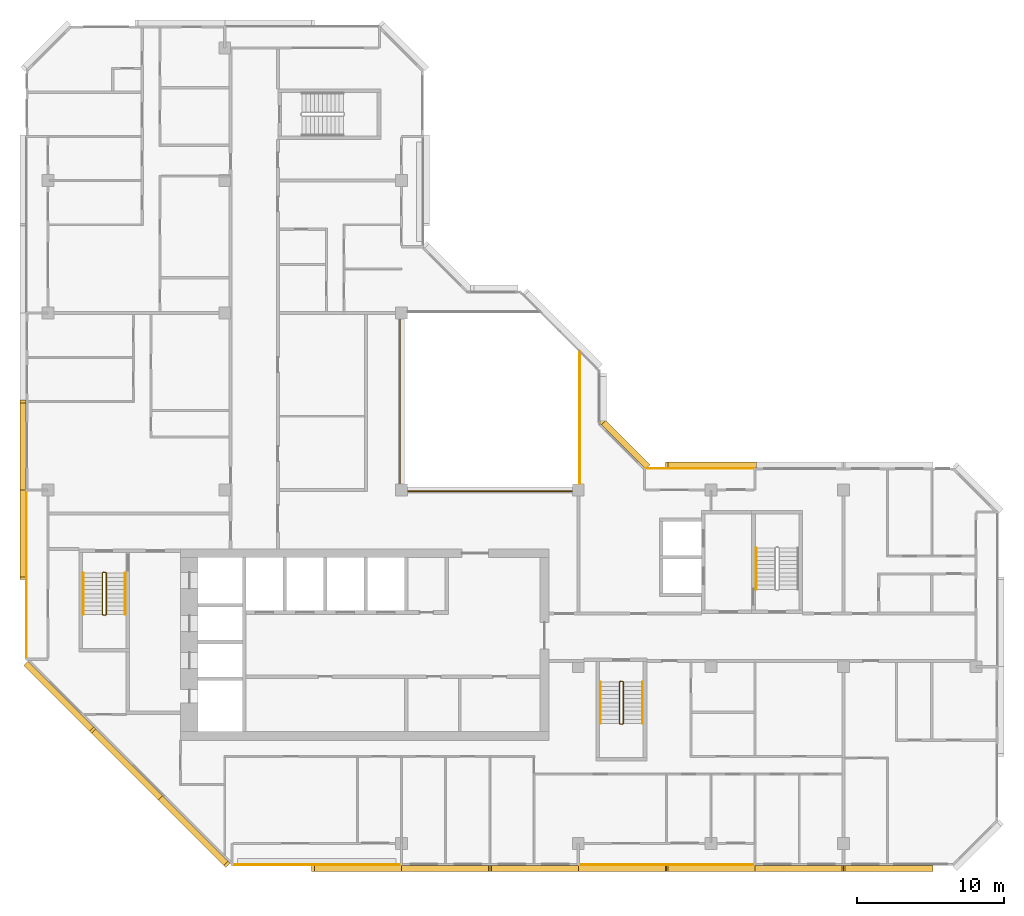
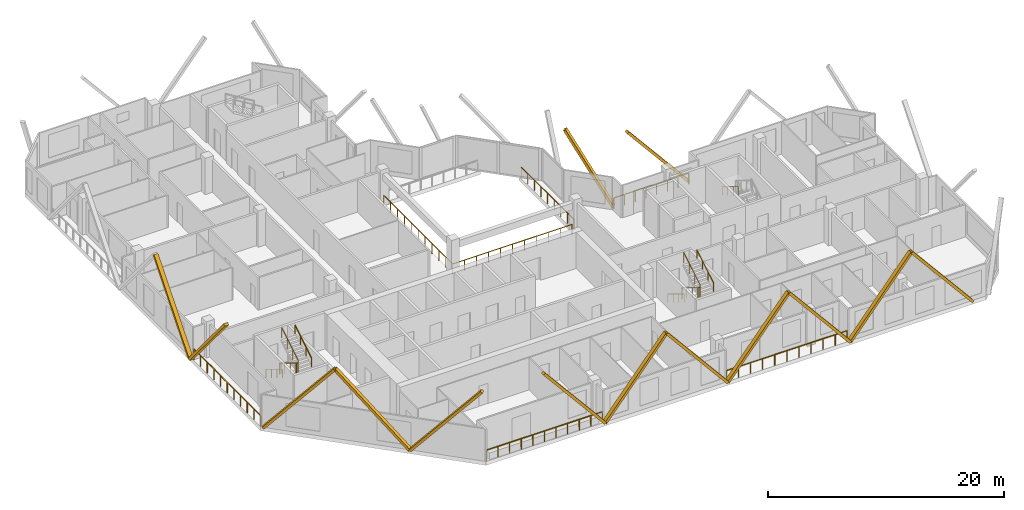
# One storey, part 12 of 13: 14 coverings, 13 railings.
"""IFC4 building model written with IfcOpenShell, lengths in metres."""

from ifc_helpers import new_model, si_unit, direction, frame, origin, origin_2d, place, context, subcontext, project, spatial, rectangle, extrude, material, material_profile, profile_set, type_object, element, save


model = new_model("IFC4")

# Units and contexts
model_context = context("Model", 3, precision=1e-05, world=origin(), true_north=direction((0.0, 1.0)))
body_context = subcontext(model_context, "Body", "Model", "MODEL_VIEW")
ifc_project = project(units=[si_unit("LENGTHUNIT", "METRE"), si_unit("AREAUNIT", "SQUARE_METRE"), si_unit("VOLUMEUNIT", "CUBIC_METRE"), si_unit("PLANEANGLEUNIT", "RADIAN"), si_unit("MASSUNIT", "GRAM", prefix="KILO")], contexts=[model_context])

# Site, building, storey
site_placement = place(None, origin())
site = spatial("IfcSite", under=ifc_project, at=site_placement, CompositionType="ELEMENT")
building_placement = place(site_placement, origin())
building = spatial("IfcBuilding", under=site, at=building_placement, Name="Chenar Terraces", CompositionType="ELEMENT")
storey_placement = place(building_placement, frame((0.0, 0.0, 280.89990234375)))
storey = spatial("IfcBuildingStorey", under=building, at=storey_placement, Name="L65", CompositionType="ELEMENT", Elevation=280.89990234375)

# Railings
ifc_material_1 = material(Name="Powder-coated steel", Category="steel")
railing_type_1 = type_object("IfcRailingType", Name="Guard 1100 steel rail with glass infill", PredefinedType="GUARDRAIL", material=ifc_material_1)
railing_1_placement = place(storey_placement, frame((23.89990234375, 35.60009765625, 0.0)))
element("IfcRailing", 1, at=railing_1_placement, inside=storey, type_object=railing_type_1, Name="Guard L65-1", PredefinedType="GUARDRAIL", context=body_context, shape_type="SweptSolid", body=[
    extrude(rectangle(XDim=0.06005859375, YDim=0.06005859375, at=origin_2d()), frame((0.0, 0.0, 1.070068359375), z_axis=(0.0, -1.0, 0.0), x_axis=(1.0, 0.0, 0.0)), (0.0, 0.0, 1.0), 11.7001953125),
    extrude(rectangle(XDim=0.06005859375, YDim=0.06005859375, at=origin_2d()), frame((0.0, -11.7001953125, 1.070068359375), z_axis=(1.0, 0.0, 0.0), x_axis=(0.0, 1.0, 0.0)), (0.0, 0.0, 1.0), 11.7001953125),
    extrude(rectangle(XDim=0.050048828125, YDim=0.050048828125, at=origin_2d()), origin(), (0.0, 0.0, 1.0), 1.0400390625),
    extrude(rectangle(XDim=0.050048828125, YDim=0.050048828125, at=origin_2d()), frame((0.0, -1.169921875, 0.0)), (0.0, 0.0, 1.0), 1.0400390625),
    extrude(rectangle(XDim=0.050048828125, YDim=0.050048828125, at=origin_2d()), frame((0.0, -2.340087890625, 0.0)), (0.0, 0.0, 1.0), 1.0400390625),
    extrude(rectangle(XDim=0.050048828125, YDim=0.050048828125, at=origin_2d()), frame((0.0, -3.510009765625, 0.0)), (0.0, 0.0, 1.0), 1.0400390625),
    extrude(rectangle(XDim=0.050048828125, YDim=0.050048828125, at=origin_2d()), frame((0.0, -4.68017578125, 0.0)), (0.0, 0.0, 1.0), 1.0400390625),
    extrude(rectangle(XDim=0.050048828125, YDim=0.050048828125, at=origin_2d()), frame((0.0, -5.85009765625, 0.0)), (0.0, 0.0, 1.0), 1.0400390625),
    extrude(rectangle(XDim=0.050048828125, YDim=0.050048828125, at=origin_2d()), frame((0.0, -7.02001953125, 0.0)), (0.0, 0.0, 1.0), 1.0400390625),
    extrude(rectangle(XDim=0.050048828125, YDim=0.050048828125, at=origin_2d()), frame((0.0, -8.190185546875, 0.0)), (0.0, 0.0, 1.0), 1.0400390625),
    extrude(rectangle(XDim=0.050048828125, YDim=0.050048828125, at=origin_2d()), frame((0.0, -9.360107421875, 0.0)), (0.0, 0.0, 1.0), 1.0400390625),
    extrude(rectangle(XDim=0.050048828125, YDim=0.050048828125, at=origin_2d()), frame((0.0, -10.5302734375, 0.0)), (0.0, 0.0, 1.0), 1.0400390625),
    extrude(rectangle(XDim=0.050048828125, YDim=0.050048828125, at=origin_2d()), frame((0.0, -11.7001953125, 0.0)), (0.0, 0.0, 1.0), 1.0400390625),
    extrude(rectangle(XDim=0.050048828125, YDim=0.050048828125, at=origin_2d()), frame((1.169921875, -11.7001953125, 0.0)), (0.0, 0.0, 1.0), 1.0400390625),
    extrude(rectangle(XDim=0.050048828125, YDim=0.050048828125, at=origin_2d()), frame((2.340087890625, -11.7001953125, 0.0)), (0.0, 0.0, 1.0), 1.0400390625),
    extrude(rectangle(XDim=0.050048828125, YDim=0.050048828125, at=origin_2d()), frame((3.510009765625, -11.7001953125, 0.0)), (0.0, 0.0, 1.0), 1.0400390625),
    extrude(rectangle(XDim=0.050048828125, YDim=0.050048828125, at=origin_2d()), frame((4.68017578125, -11.7001953125, 0.0)), (0.0, 0.0, 1.0), 1.0400390625),
    extrude(rectangle(XDim=0.050048828125, YDim=0.050048828125, at=origin_2d()), frame((5.85009765625, -11.7001953125, 0.0)), (0.0, 0.0, 1.0), 1.0400390625),
    extrude(rectangle(XDim=0.050048828125, YDim=0.050048828125, at=origin_2d()), frame((7.02001953125, -11.7001953125, 0.0)), (0.0, 0.0, 1.0), 1.0400390625),
    extrude(rectangle(XDim=0.050048828125, YDim=0.050048828125, at=origin_2d()), frame((8.190185546875, -11.7001953125, 0.0)), (0.0, 0.0, 1.0), 1.0400390625),
    extrude(rectangle(XDim=0.050048828125, YDim=0.050048828125, at=origin_2d()), frame((9.360107421875, -11.7001953125, 0.0)), (0.0, 0.0, 1.0), 1.0400390625),
    extrude(rectangle(XDim=0.050048828125, YDim=0.050048828125, at=origin_2d()), frame((10.5302734375, -11.7001953125, 0.0)), (0.0, 0.0, 1.0), 1.0400390625),
    extrude(rectangle(XDim=0.050048828125, YDim=0.050048828125, at=origin_2d()), frame((11.7001953125, -11.7001953125, 0.0)), (0.0, 0.0, 1.0), 1.0400390625),
])
railing_2_placement = place(storey_placement, frame((36.10009765625, 24.449951171875, 0.0)))
element("IfcRailing", 2, at=railing_2_placement, inside=storey, type_object=railing_type_1, Name="Guard L65-3", PredefinedType="GUARDRAIL", context=body_context, shape_type="SweptSolid", body=[
    extrude(rectangle(XDim=0.06005859375, YDim=0.06005859375, at=origin_2d()), frame((0.0, 0.0, 1.070068359375), z_axis=(0.0, 1.0, 0.0), x_axis=(-1.0, 0.0, 0.0)), (0.0, 0.0, 1.0), 8.949951171875),
    extrude(rectangle(XDim=0.050048828125, YDim=0.050048828125, at=origin_2d()), origin(), (0.0, 0.0, 1.0), 1.0400390625),
    extrude(rectangle(XDim=0.050048828125, YDim=0.050048828125, at=origin_2d()), frame((0.0, 1.11865234375, 0.0)), (0.0, 0.0, 1.0), 1.0400390625),
    extrude(rectangle(XDim=0.050048828125, YDim=0.050048828125, at=origin_2d()), frame((0.0, 2.237548828125, 0.0)), (0.0, 0.0, 1.0), 1.0400390625),
    extrude(rectangle(XDim=0.050048828125, YDim=0.050048828125, at=origin_2d()), frame((0.0, 3.356201171875, 0.0)), (0.0, 0.0, 1.0), 1.0400390625),
    extrude(rectangle(XDim=0.050048828125, YDim=0.050048828125, at=origin_2d()), frame((0.0, 4.47509765625, 0.0)), (0.0, 0.0, 1.0), 1.0400390625),
    extrude(rectangle(XDim=0.050048828125, YDim=0.050048828125, at=origin_2d()), frame((0.0, 5.59375, 0.0)), (0.0, 0.0, 1.0), 1.0400390625),
    extrude(rectangle(XDim=0.050048828125, YDim=0.050048828125, at=origin_2d()), frame((0.0, 6.71240234375, 0.0)), (0.0, 0.0, 1.0), 1.0400390625),
    extrude(rectangle(XDim=0.050048828125, YDim=0.050048828125, at=origin_2d()), frame((0.0, 7.831298828125, 0.0)), (0.0, 0.0, 1.0), 1.0400390625),
    extrude(rectangle(XDim=0.050048828125, YDim=0.050048828125, at=origin_2d()), frame((0.0, 8.949951171875, 0.0)), (0.0, 0.0, 1.0), 1.0400390625),
])
ifc_material_2 = material(Name="Stainless steel and glass", Category="steel")
railing_type_2 = type_object("IfcRailingType", Name="Loggia guard 1150", PredefinedType="GUARDRAIL", material=ifc_material_2)
railing_3_placement = place(storey_placement, frame((47.925048828125, 25.449951171875, 0.0)))
element("IfcRailing", 3, at=railing_3_placement, inside=storey, type_object=railing_type_2, Name="Loggia guard", PredefinedType="GUARDRAIL", context=body_context, shape_type="SweptSolid", body=[
    extrude(rectangle(XDim=0.048095703125, YDim=0.048095703125, at=origin_2d()), frame((0.0, 0.0, 1.1259765625), z_axis=(-1.0, 0.0, 0.0), x_axis=(0.0, -1.0, 0.0)), (0.0, 0.0, 1.0), 7.35009765625),
    extrude(rectangle(XDim=0.0419921875, YDim=0.0419921875, at=origin_2d()), origin(), (0.0, 0.0, 1.0), 1.101806640625),
    extrude(rectangle(XDim=0.0419921875, YDim=0.0419921875, at=origin_2d()), frame((-1.050048828125, 0.0, 0.0)), (0.0, 0.0, 1.0), 1.101806640625),
    extrude(rectangle(XDim=0.0419921875, YDim=0.0419921875, at=origin_2d()), frame((-2.10009765625, 0.0, 0.0)), (0.0, 0.0, 1.0), 1.101806640625),
    extrude(rectangle(XDim=0.0419921875, YDim=0.0419921875, at=origin_2d()), frame((-3.150146484375, 0.0, 0.0)), (0.0, 0.0, 1.0), 1.101806640625),
    extrude(rectangle(XDim=0.0419921875, YDim=0.0419921875, at=origin_2d()), frame((-4.199951171875, 0.0, 0.0)), (0.0, 0.0, 1.0), 1.101806640625),
    extrude(rectangle(XDim=0.0419921875, YDim=0.0419921875, at=origin_2d()), frame((-5.25, 0.0, 0.0)), (0.0, 0.0, 1.0), 1.101806640625),
    extrude(rectangle(XDim=0.0419921875, YDim=0.0419921875, at=origin_2d()), frame((-6.300048828125, 0.0, 0.0)), (0.0, 0.0, 1.0), 1.101806640625),
    extrude(rectangle(XDim=0.0419921875, YDim=0.0419921875, at=origin_2d()), frame((-7.35009765625, 0.0, 0.0)), (0.0, 0.0, 1.0), 1.101806640625),
])
railing_4_placement = place(storey_placement, frame((12.574951171875, -1.449951171875, 0.0)))
element("IfcRailing", 4, at=railing_4_placement, inside=storey, type_object=railing_type_2, Name="Loggia guard", PredefinedType="GUARDRAIL", context=body_context, shape_type="SweptSolid", body=[
    extrude(rectangle(XDim=0.048095703125, YDim=0.048095703125, at=origin_2d()), frame((0.0, 0.0, 1.1259765625), z_axis=(1.0, 0.0, 0.0), x_axis=(0.0, 1.0, 0.0)), (0.0, 0.0, 1.0), 11.35009765625),
    extrude(rectangle(XDim=0.0419921875, YDim=0.0419921875, at=origin_2d()), origin(), (0.0, 0.0, 1.0), 1.101806640625),
    extrude(rectangle(XDim=0.0419921875, YDim=0.0419921875, at=origin_2d()), frame((1.135009765625, 0.0, 0.0)), (0.0, 0.0, 1.0), 1.101806640625),
    extrude(rectangle(XDim=0.0419921875, YDim=0.0419921875, at=origin_2d()), frame((2.27001953125, 0.0, 0.0)), (0.0, 0.0, 1.0), 1.101806640625),
    extrude(rectangle(XDim=0.0419921875, YDim=0.0419921875, at=origin_2d()), frame((3.405029296875, 0.0, 0.0)), (0.0, 0.0, 1.0), 1.101806640625),
    extrude(rectangle(XDim=0.0419921875, YDim=0.0419921875, at=origin_2d()), frame((4.5400390625, 0.0, 0.0)), (0.0, 0.0, 1.0), 1.101806640625),
    extrude(rectangle(XDim=0.0419921875, YDim=0.0419921875, at=origin_2d()), frame((5.675048828125, 0.0, 0.0)), (0.0, 0.0, 1.0), 1.101806640625),
    extrude(rectangle(XDim=0.0419921875, YDim=0.0419921875, at=origin_2d()), frame((6.81005859375, 0.0, 0.0)), (0.0, 0.0, 1.0), 1.101806640625),
    extrude(rectangle(XDim=0.0419921875, YDim=0.0419921875, at=origin_2d()), frame((7.945068359375, 0.0, 0.0)), (0.0, 0.0, 1.0), 1.101806640625),
    extrude(rectangle(XDim=0.0419921875, YDim=0.0419921875, at=origin_2d()), frame((9.080078125, 0.0, 0.0)), (0.0, 0.0, 1.0), 1.101806640625),
    extrude(rectangle(XDim=0.0419921875, YDim=0.0419921875, at=origin_2d()), frame((10.215087890625, 0.0, 0.0)), (0.0, 0.0, 1.0), 1.101806640625),
    extrude(rectangle(XDim=0.0419921875, YDim=0.0419921875, at=origin_2d()), frame((11.35009765625, 0.0, 0.0)), (0.0, 0.0, 1.0), 1.101806640625),
])
railing_5_placement = place(storey_placement, frame((36.074951171875, -1.449951171875, 0.0)))
element("IfcRailing", 5, at=railing_5_placement, inside=storey, type_object=railing_type_2, Name="Loggia guard", PredefinedType="GUARDRAIL", context=body_context, shape_type="SweptSolid", body=[
    extrude(rectangle(XDim=0.048095703125, YDim=0.048095703125, at=origin_2d()), frame((0.0, 0.0, 1.1259765625), z_axis=(1.0, 0.0, 0.0), x_axis=(0.0, 1.0, 0.0)), (0.0, 0.0, 1.0), 11.85009765625),
    extrude(rectangle(XDim=0.0419921875, YDim=0.0419921875, at=origin_2d()), origin(), (0.0, 0.0, 1.0), 1.101806640625),
    extrude(rectangle(XDim=0.0419921875, YDim=0.0419921875, at=origin_2d()), frame((1.18505859375, 0.0, 0.0)), (0.0, 0.0, 1.0), 1.101806640625),
    extrude(rectangle(XDim=0.0419921875, YDim=0.0419921875, at=origin_2d()), frame((2.3701171875, 0.0, 0.0)), (0.0, 0.0, 1.0), 1.101806640625),
    extrude(rectangle(XDim=0.0419921875, YDim=0.0419921875, at=origin_2d()), frame((3.554931640625, 0.0, 0.0)), (0.0, 0.0, 1.0), 1.101806640625),
    extrude(rectangle(XDim=0.0419921875, YDim=0.0419921875, at=origin_2d()), frame((4.739990234375, 0.0, 0.0)), (0.0, 0.0, 1.0), 1.101806640625),
    extrude(rectangle(XDim=0.0419921875, YDim=0.0419921875, at=origin_2d()), frame((5.925048828125, 0.0, 0.0)), (0.0, 0.0, 1.0), 1.101806640625),
    extrude(rectangle(XDim=0.0419921875, YDim=0.0419921875, at=origin_2d()), frame((7.110107421875, 0.0, 0.0)), (0.0, 0.0, 1.0), 1.101806640625),
    extrude(rectangle(XDim=0.0419921875, YDim=0.0419921875, at=origin_2d()), frame((8.295166015625, 0.0, 0.0)), (0.0, 0.0, 1.0), 1.101806640625),
    extrude(rectangle(XDim=0.0419921875, YDim=0.0419921875, at=origin_2d()), frame((9.47998046875, 0.0, 0.0)), (0.0, 0.0, 1.0), 1.101806640625),
    extrude(rectangle(XDim=0.0419921875, YDim=0.0419921875, at=origin_2d()), frame((10.6650390625, 0.0, 0.0)), (0.0, 0.0, 1.0), 1.101806640625),
    extrude(rectangle(XDim=0.0419921875, YDim=0.0419921875, at=origin_2d()), frame((11.85009765625, 0.0, 0.0)), (0.0, 0.0, 1.0), 1.101806640625),
])
railing_6_placement = place(storey_placement, frame((-1.449951171875, 23.925048828125, 0.0)))
element("IfcRailing", 6, at=railing_6_placement, inside=storey, type_object=railing_type_2, Name="Loggia guard", PredefinedType="GUARDRAIL", context=body_context, shape_type="SweptSolid", body=[
    extrude(rectangle(XDim=0.048095703125, YDim=0.048095703125, at=origin_2d()), frame((0.0, 0.0, 1.1259765625), z_axis=(0.0, -1.0, 0.0), x_axis=(1.0, 0.0, 0.0)), (0.0, 0.0, 1.0), 11.35009765625),
    extrude(rectangle(XDim=0.0419921875, YDim=0.0419921875, at=origin_2d()), origin(), (0.0, 0.0, 1.0), 1.101806640625),
    extrude(rectangle(XDim=0.0419921875, YDim=0.0419921875, at=origin_2d()), frame((0.0, -1.135009765625, 0.0)), (0.0, 0.0, 1.0), 1.101806640625),
    extrude(rectangle(XDim=0.0419921875, YDim=0.0419921875, at=origin_2d()), frame((0.0, -2.27001953125, 0.0)), (0.0, 0.0, 1.0), 1.101806640625),
    extrude(rectangle(XDim=0.0419921875, YDim=0.0419921875, at=origin_2d()), frame((0.0, -3.405029296875, 0.0)), (0.0, 0.0, 1.0), 1.101806640625),
    extrude(rectangle(XDim=0.0419921875, YDim=0.0419921875, at=origin_2d()), frame((0.0, -4.5400390625, 0.0)), (0.0, 0.0, 1.0), 1.101806640625),
    extrude(rectangle(XDim=0.0419921875, YDim=0.0419921875, at=origin_2d()), frame((0.0, -5.675048828125, 0.0)), (0.0, 0.0, 1.0), 1.101806640625),
    extrude(rectangle(XDim=0.0419921875, YDim=0.0419921875, at=origin_2d()), frame((0.0, -6.81005859375, 0.0)), (0.0, 0.0, 1.0), 1.101806640625),
    extrude(rectangle(XDim=0.0419921875, YDim=0.0419921875, at=origin_2d()), frame((0.0, -7.945068359375, 0.0)), (0.0, 0.0, 1.0), 1.101806640625),
    extrude(rectangle(XDim=0.0419921875, YDim=0.0419921875, at=origin_2d()), frame((0.0, -9.080078125, 0.0)), (0.0, 0.0, 1.0), 1.101806640625),
    extrude(rectangle(XDim=0.0419921875, YDim=0.0419921875, at=origin_2d()), frame((0.0, -10.215087890625, 0.0)), (0.0, 0.0, 1.0), 1.101806640625),
    extrude(rectangle(XDim=0.0419921875, YDim=0.0419921875, at=origin_2d()), frame((0.0, -11.35009765625, 0.0)), (0.0, 0.0, 1.0), 1.101806640625),
])
ifc_material_3 = material(Name="Powder-coated steel", Category="steel")
railing_type_3 = type_object("IfcRailingType", Name="Stair guard 1100", PredefinedType="GUARDRAIL", material=ifc_material_3)
railing_7_placement = place(storey_placement, frame((3.949951171875, 18.35009765625, 3.75)))
element("IfcRailing", 7, at=railing_7_placement, inside=storey, type_object=railing_type_3, Name="L65 ST1 stair guard 1", PredefinedType="GUARDRAIL", context=body_context, shape_type="SweptSolid", body=[
    extrude(rectangle(XDim=0.048095703125, YDim=0.048095703125, at=origin_2d()), frame((0.0, 0.0, 1.076171875), z_axis=(0.0, -0.854202870247, -0.519939858505), x_axis=(1.0, 0.0, 0.0)), (0.0, 0.0, 1.0), 3.278076171875),
    extrude(rectangle(XDim=0.048095703125, YDim=0.048095703125, at=origin_2d()), frame((0.0, -2.800048828125, -0.62841796875), z_axis=(-0.270899902878, -0.270899902878, -0.923702595667), x_axis=(0.707106781187, -0.707106781187, 0.0)), (0.0, 0.0, 1.0), 0.184814453125),
    extrude(rectangle(XDim=0.048095703125, YDim=0.048095703125, at=origin_2d()), frame((-0.050048828125, -2.85009765625, -0.798828125), z_axis=(-1.0, 0.0, 0.0), x_axis=(0.0, -1.0, 0.0)), (0.0, 0.0, 1.0), 0.14990234375),
    extrude(rectangle(XDim=0.048095703125, YDim=0.048095703125, at=origin_2d()), frame((-0.199951171875, -2.85009765625, -0.798828125), z_axis=(-0.707106781187, 0.707106781187, 0.0), x_axis=(-0.707106781187, -0.707106781187, 0.0)), (0.0, 0.0, 1.0), 0.07080078125),
    extrude(rectangle(XDim=0.048095703125, YDim=0.048095703125, at=origin_2d()), frame((-0.25, -2.800048828125, -0.798828125), z_axis=(0.0, 0.854202870247, -0.519939858505), x_axis=(-1.0, 0.0, 0.0)), (0.0, 0.0, 1.0), 3.278076171875),
    extrude(rectangle(XDim=0.048095703125, YDim=0.048095703125, at=origin_2d()), frame((-0.25, 0.0, -2.50341796875), z_axis=(0.270996696079, 0.269674760976, -0.924032636873), x_axis=(-0.705375805398, 0.708833529934, 0.0)), (0.0, 0.0, 1.0), 0.1845703125),
    extrude(rectangle(XDim=0.048095703125, YDim=0.048095703125, at=origin_2d()), frame((-0.199951171875, 0.0498046875, -2.673828125), z_axis=(1.0, 0.0, 0.0), x_axis=(0.0, 1.0, 0.0)), (0.0, 0.0, 1.0), 0.14990234375),
    extrude(rectangle(XDim=0.0419921875, YDim=0.0419921875, at=origin_2d()), origin(), (0.0, 0.0, 1.0), 1.052001953125),
    extrude(rectangle(XDim=0.0419921875, YDim=0.0419921875, at=origin_2d()), frame((0.0, -0.933349609375, -0.568115234375)), (0.0, 0.0, 1.0), 1.052001953125),
    extrude(rectangle(XDim=0.0419921875, YDim=0.0419921875, at=origin_2d()), frame((0.0, -1.86669921875, -1.13623046875)), (0.0, 0.0, 1.0), 1.052001953125),
    extrude(rectangle(XDim=0.0419921875, YDim=0.0419921875, at=origin_2d()), frame((0.0, -2.800048828125, -1.704345703125)), (0.0, 0.0, 1.0), 1.052001953125),
    extrude(rectangle(XDim=0.0419921875, YDim=0.0419921875, at=origin_2d()), frame((-0.050048828125, -2.85009765625, -1.875)), (0.0, 0.0, 1.0), 1.052001953125),
    extrude(rectangle(XDim=0.0419921875, YDim=0.0419921875, at=origin_2d()), frame((-0.199951171875, -2.85009765625, -1.875)), (0.0, 0.0, 1.0), 1.052001953125),
    extrude(rectangle(XDim=0.0419921875, YDim=0.0419921875, at=origin_2d()), frame((-0.25, -2.800048828125, -1.875)), (0.0, 0.0, 1.0), 1.052001953125),
    extrude(rectangle(XDim=0.0419921875, YDim=0.0419921875, at=origin_2d()), frame((-0.25, -1.86669921875, -2.443115234375)), (0.0, 0.0, 1.0), 1.052001953125),
    extrude(rectangle(XDim=0.0419921875, YDim=0.0419921875, at=origin_2d()), frame((-0.25, -0.933349609375, -3.01123046875)), (0.0, 0.0, 1.0), 1.052001953125),
    extrude(rectangle(XDim=0.0419921875, YDim=0.0419921875, at=origin_2d()), frame((-0.25, 0.0, -3.579345703125)), (0.0, 0.0, 1.0), 1.052001953125),
    extrude(rectangle(XDim=0.0419921875, YDim=0.0419921875, at=origin_2d()), frame((-0.199951171875, 0.0498046875, -3.75)), (0.0, 0.0, 1.0), 1.052001953125),
    extrude(rectangle(XDim=0.0419921875, YDim=0.0419921875, at=origin_2d()), frame((-0.050048828125, 0.0498046875, -3.75)), (0.0, 0.0, 1.0), 1.052001953125),
])
railing_8_placement = place(storey_placement, frame((39.050048828125, 10.949951171875, 3.75)))
element("IfcRailing", 8, at=railing_8_placement, inside=storey, type_object=railing_type_3, Name="L65 ST2 stair guard 1", PredefinedType="GUARDRAIL", context=body_context, shape_type="SweptSolid", body=[
    extrude(rectangle(XDim=0.048095703125, YDim=0.048095703125, at=origin_2d()), frame((0.0, 0.0, 1.076171875), z_axis=(0.0, -0.854202870247, -0.519939858505), x_axis=(1.0, 0.0, 0.0)), (0.0, 0.0, 1.0), 3.278076171875),
    extrude(rectangle(XDim=0.048095703125, YDim=0.048095703125, at=origin_2d()), frame((0.0, -2.800048828125, -0.62841796875), z_axis=(-0.270996696079, -0.269674760976, -0.924032636873), x_axis=(0.705375805398, -0.708833529934, 0.0)), (0.0, 0.0, 1.0), 0.1845703125),
    extrude(rectangle(XDim=0.048095703125, YDim=0.048095703125, at=origin_2d()), frame((-0.050048828125, -2.849853515625, -0.798828125), z_axis=(-1.0, 0.0, 0.0), x_axis=(0.0, -1.0, 0.0)), (0.0, 0.0, 1.0), 0.14990234375),
    extrude(rectangle(XDim=0.048095703125, YDim=0.048095703125, at=origin_2d()), frame((-0.199951171875, -2.849853515625, -0.798828125), z_axis=(-0.708833529934, 0.705375805398, 0.0), x_axis=(-0.705375805398, -0.708833529934, 0.0)), (0.0, 0.0, 1.0), 0.070556640625),
    extrude(rectangle(XDim=0.048095703125, YDim=0.048095703125, at=origin_2d()), frame((-0.25, -2.800048828125, -0.798828125), z_axis=(0.0, 0.854202870247, -0.519939858505), x_axis=(-1.0, 0.0, 0.0)), (0.0, 0.0, 1.0), 3.278076171875),
    extrude(rectangle(XDim=0.048095703125, YDim=0.048095703125, at=origin_2d()), frame((-0.25, 0.0, -2.50341796875), z_axis=(0.270899902878, 0.270899902878, -0.923702595667), x_axis=(-0.707106781187, 0.707106781187, 0.0)), (0.0, 0.0, 1.0), 0.184814453125),
    extrude(rectangle(XDim=0.048095703125, YDim=0.048095703125, at=origin_2d()), frame((-0.199951171875, 0.050048828125, -2.673828125), z_axis=(1.0, 0.0, 0.0), x_axis=(0.0, 1.0, 0.0)), (0.0, 0.0, 1.0), 0.14990234375),
    extrude(rectangle(XDim=0.0419921875, YDim=0.0419921875, at=origin_2d()), origin(), (0.0, 0.0, 1.0), 1.052001953125),
    extrude(rectangle(XDim=0.0419921875, YDim=0.0419921875, at=origin_2d()), frame((0.0, -0.933349609375, -0.568115234375)), (0.0, 0.0, 1.0), 1.052001953125),
    extrude(rectangle(XDim=0.0419921875, YDim=0.0419921875, at=origin_2d()), frame((0.0, -1.86669921875, -1.13623046875)), (0.0, 0.0, 1.0), 1.052001953125),
    extrude(rectangle(XDim=0.0419921875, YDim=0.0419921875, at=origin_2d()), frame((0.0, -2.800048828125, -1.704345703125)), (0.0, 0.0, 1.0), 1.052001953125),
    extrude(rectangle(XDim=0.0419921875, YDim=0.0419921875, at=origin_2d()), frame((-0.050048828125, -2.849853515625, -1.875)), (0.0, 0.0, 1.0), 1.052001953125),
    extrude(rectangle(XDim=0.0419921875, YDim=0.0419921875, at=origin_2d()), frame((-0.199951171875, -2.849853515625, -1.875)), (0.0, 0.0, 1.0), 1.052001953125),
    extrude(rectangle(XDim=0.0419921875, YDim=0.0419921875, at=origin_2d()), frame((-0.25, -2.800048828125, -1.875)), (0.0, 0.0, 1.0), 1.052001953125),
    extrude(rectangle(XDim=0.0419921875, YDim=0.0419921875, at=origin_2d()), frame((-0.25, -1.86669921875, -2.443115234375)), (0.0, 0.0, 1.0), 1.052001953125),
    extrude(rectangle(XDim=0.0419921875, YDim=0.0419921875, at=origin_2d()), frame((-0.25, -0.933349609375, -3.01123046875)), (0.0, 0.0, 1.0), 1.052001953125),
    extrude(rectangle(XDim=0.0419921875, YDim=0.0419921875, at=origin_2d()), frame((-0.25, 0.0, -3.579345703125)), (0.0, 0.0, 1.0), 1.052001953125),
    extrude(rectangle(XDim=0.0419921875, YDim=0.0419921875, at=origin_2d()), frame((-0.199951171875, 0.050048828125, -3.75)), (0.0, 0.0, 1.0), 1.052001953125),
    extrude(rectangle(XDim=0.0419921875, YDim=0.0419921875, at=origin_2d()), frame((-0.050048828125, 0.050048828125, -3.75)), (0.0, 0.0, 1.0), 1.052001953125),
])
ifc_material_4 = material(Name="Powder-coated steel", Category="steel")
railing_type_4 = type_object("IfcRailingType", Name="Stair handrail 900", PredefinedType="HANDRAIL", material=ifc_material_4)
railing_9_placement = place(storey_placement, frame((2.39990234375, 18.35009765625, 0.170654296875)))
element("IfcRailing", 9, at=railing_9_placement, inside=storey, type_object=railing_type_4, Name="L65 ST1 stair handrail 1", PredefinedType="HANDRAIL", context=body_context, shape_type="SweptSolid", body=[
    extrude(rectangle(XDim=0.048095703125, YDim=0.048095703125, at=origin_2d()), frame((0.0, 0.0, 0.8759765625), z_axis=(0.0, -0.854202870247, 0.519939858505), x_axis=(1.0, 0.0, 0.0)), (0.0, 0.0, 1.0), 3.278076171875),
    extrude(rectangle(XDim=0.0419921875, YDim=0.0419921875, at=origin_2d()), origin(), (0.0, 0.0, 1.0), 0.851806640625),
    extrude(rectangle(XDim=0.0419921875, YDim=0.0419921875, at=origin_2d()), frame((0.0, -0.933349609375, 0.568115234375)), (0.0, 0.0, 1.0), 0.851806640625),
    extrude(rectangle(XDim=0.0419921875, YDim=0.0419921875, at=origin_2d()), frame((0.0, -1.86669921875, 1.13623046875)), (0.0, 0.0, 1.0), 0.851806640625),
    extrude(rectangle(XDim=0.0419921875, YDim=0.0419921875, at=origin_2d()), frame((0.0, -2.800048828125, 1.704345703125)), (0.0, 0.0, 1.0), 0.851806640625),
])
railing_10_placement = place(storey_placement, frame((5.25, 15.550048828125, 2.045654296875)))
element("IfcRailing", 10, at=railing_10_placement, inside=storey, type_object=railing_type_4, Name="L65 ST1 stair handrail 2", PredefinedType="HANDRAIL", context=body_context, shape_type="SweptSolid", body=[
    extrude(rectangle(XDim=0.048095703125, YDim=0.048095703125, at=origin_2d()), frame((0.0, 0.0, 0.8759765625), z_axis=(0.0, 0.854202870247, 0.519939858505), x_axis=(-1.0, 0.0, 0.0)), (0.0, 0.0, 1.0), 3.278076171875),
    extrude(rectangle(XDim=0.0419921875, YDim=0.0419921875, at=origin_2d()), origin(), (0.0, 0.0, 1.0), 0.851806640625),
    extrude(rectangle(XDim=0.0419921875, YDim=0.0419921875, at=origin_2d()), frame((0.0, 0.933349609375, 0.568115234375)), (0.0, 0.0, 1.0), 0.851806640625),
    extrude(rectangle(XDim=0.0419921875, YDim=0.0419921875, at=origin_2d()), frame((0.0, 1.86669921875, 1.13623046875)), (0.0, 0.0, 1.0), 0.851806640625),
    extrude(rectangle(XDim=0.0419921875, YDim=0.0419921875, at=origin_2d()), frame((0.0, 2.800048828125, 1.704345703125)), (0.0, 0.0, 1.0), 0.851806640625),
])
railing_11_placement = place(storey_placement, frame((37.5, 10.949951171875, 0.170654296875)))
element("IfcRailing", 11, at=railing_11_placement, inside=storey, type_object=railing_type_4, Name="L65 ST2 stair handrail 1", PredefinedType="HANDRAIL", context=body_context, shape_type="SweptSolid", body=[
    extrude(rectangle(XDim=0.048095703125, YDim=0.048095703125, at=origin_2d()), frame((0.0, 0.0, 0.8759765625), z_axis=(0.0, -0.854202870247, 0.519939858505), x_axis=(1.0, 0.0, 0.0)), (0.0, 0.0, 1.0), 3.278076171875),
    extrude(rectangle(XDim=0.0419921875, YDim=0.0419921875, at=origin_2d()), origin(), (0.0, 0.0, 1.0), 0.851806640625),
    extrude(rectangle(XDim=0.0419921875, YDim=0.0419921875, at=origin_2d()), frame((0.0, -0.933349609375, 0.568115234375)), (0.0, 0.0, 1.0), 0.851806640625),
    extrude(rectangle(XDim=0.0419921875, YDim=0.0419921875, at=origin_2d()), frame((0.0, -1.86669921875, 1.13623046875)), (0.0, 0.0, 1.0), 0.851806640625),
    extrude(rectangle(XDim=0.0419921875, YDim=0.0419921875, at=origin_2d()), frame((0.0, -2.800048828125, 1.704345703125)), (0.0, 0.0, 1.0), 0.851806640625),
])
railing_12_placement = place(storey_placement, frame((40.35009765625, 8.14990234375, 2.045654296875)))
element("IfcRailing", 12, at=railing_12_placement, inside=storey, type_object=railing_type_4, Name="L65 ST2 stair handrail 2", PredefinedType="HANDRAIL", context=body_context, shape_type="SweptSolid", body=[
    extrude(rectangle(XDim=0.048095703125, YDim=0.048095703125, at=origin_2d()), frame((0.0, 0.0, 0.8759765625), z_axis=(0.0, 0.854202870247, 0.519939858505), x_axis=(-1.0, 0.0, 0.0)), (0.0, 0.0, 1.0), 3.278076171875),
    extrude(rectangle(XDim=0.0419921875, YDim=0.0419921875, at=origin_2d()), origin(), (0.0, 0.0, 1.0), 0.851806640625),
    extrude(rectangle(XDim=0.0419921875, YDim=0.0419921875, at=origin_2d()), frame((0.0, 0.933349609375, 0.568115234375)), (0.0, 0.0, 1.0), 0.851806640625),
    extrude(rectangle(XDim=0.0419921875, YDim=0.0419921875, at=origin_2d()), frame((0.0, 1.86669921875, 1.13623046875)), (0.0, 0.0, 1.0), 0.851806640625),
    extrude(rectangle(XDim=0.0419921875, YDim=0.0419921875, at=origin_2d()), frame((0.0, 2.800048828125, 1.704345703125)), (0.0, 0.0, 1.0), 0.851806640625),
])
railing_13_placement = place(storey_placement, frame((48.074951171875, 20.050048828125, 2.045654296875)))
element("IfcRailing", 13, at=railing_13_placement, inside=storey, type_object=railing_type_4, Name="L65 ST3 stair handrail 2", PredefinedType="HANDRAIL", context=body_context, shape_type="SweptSolid", body=[
    extrude(rectangle(XDim=0.048095703125, YDim=0.048095703125, at=origin_2d()), frame((0.0, 0.0, 0.8759765625), z_axis=(0.0, -0.854202870247, 0.519939858505), x_axis=(1.0, 0.0, 0.0)), (0.0, 0.0, 1.0), 3.278076171875),
    extrude(rectangle(XDim=0.0419921875, YDim=0.0419921875, at=origin_2d()), origin(), (0.0, 0.0, 1.0), 0.851806640625),
    extrude(rectangle(XDim=0.0419921875, YDim=0.0419921875, at=origin_2d()), frame((0.0, -0.933349609375, 0.568115234375)), (0.0, 0.0, 1.0), 0.851806640625),
    extrude(rectangle(XDim=0.0419921875, YDim=0.0419921875, at=origin_2d()), frame((0.0, -1.86669921875, 1.13623046875)), (0.0, 0.0, 1.0), 0.851806640625),
    extrude(rectangle(XDim=0.0419921875, YDim=0.0419921875, at=origin_2d()), frame((0.0, -2.800048828125, 1.704345703125)), (0.0, 0.0, 1.0), 0.851806640625),
])

# Coverings
ifc_material_5 = material(Name="Terracotta", Category="masonry")
ifc_material_profile = material_profile(ifc_material_5, rectangle(XDim=0.39990234375, YDim=0.25, at=origin_2d()), Name="Terracotta baguette 400 x 250")
ifc_profile_set = profile_set([ifc_material_profile], Name="Terracotta")
covering_type = type_object("IfcCoveringType", Name="Terracotta baguette 400 x 250", PredefinedType="CLADDING", material=ifc_profile_set)
covering_1_placement = place(storey_placement, frame((48.0, 25.699951171875, 0.150146484375), z_axis=(-0.640186961885, 0.0, 0.768219144407), x_axis=(0.0, -1.0, 0.0)))
element("IfcCovering", 14, at=covering_1_placement, inside=storey, type_object=covering_type, Name="Terracotta baguette", PredefinedType="CLADDING", context=body_context, shape_type="SweptSolid", body=[
    extrude(rectangle(XDim=0.39990234375, YDim=0.25, at=origin_2d()), origin(), (0.0, 0.0, 1.0), 9.372314453125),
])
covering_2_placement = place(storey_placement, frame((40.641357421875, 25.641357421875, 0.150146484375), z_axis=(-0.358980886355, 0.358980886355, 0.861548284464), x_axis=(-0.707106781187, -0.707106781187, 0.0)))
element("IfcCovering", 15, at=covering_2_placement, inside=storey, type_object=covering_type, Name="Terracotta baguette", PredefinedType="CLADDING", context=body_context, shape_type="SweptSolid", body=[
    extrude(rectangle(XDim=0.39990234375, YDim=0.25, at=origin_2d()), origin(), (0.0, 0.0, 1.0), 8.35693359375),
])
for number, where, z_axis, x_axis, name in (
    (16, (-1.699951171875, 30.0, 7.35009765625), (0.0, -0.640186961885, -0.768219144407), (1.0, 0.0, 0.0), "Terracotta baguette"),
    (17, (-1.699951171875, 24.0, 0.150146484375), (0.0, -0.640186961885, 0.768219144407), (1.0, 0.0, 0.0), "Terracotta baguette"),
):
    element("IfcCovering", number, at=place(storey_placement, frame(where, z_axis=z_axis, x_axis=x_axis)), inside=storey, type_object=covering_type, Name=name, PredefinedType="CLADDING", context=body_context, shape_type="SweptSolid", body=[
        extrude(rectangle(XDim=0.39990234375, YDim=0.25, at=origin_2d()), origin(), (0.0, 0.0, 1.0), 9.372314453125),
    ])
covering_3_placement = place(storey_placement, frame((-1.42919921875, 12.146484375, 0.150146484375), z_axis=(0.465604048687, -0.46562956823, 0.752596821038), x_axis=(0.707126158488, 0.707087403354, 0.0)))
element("IfcCovering", 18, at=covering_3_placement, inside=storey, type_object=covering_type, Name="Terracotta baguette", PredefinedType="CLADDING", context=body_context, shape_type="SweptSolid", body=[
    extrude(rectangle(XDim=0.39990234375, YDim=0.25, at=origin_2d()), origin(), (0.0, 0.0, 1.0), 9.56689453125),
])
covering_4_placement = place(storey_placement, frame((3.025146484375, 7.69189453125, 7.35009765625), z_axis=(0.477802509271, -0.477802509271, -0.73716315987), x_axis=(0.707106781187, 0.707106781187, 0.0)))
element("IfcCovering", 19, at=covering_4_placement, inside=storey, type_object=covering_type, Name="Terracotta baguette", PredefinedType="CLADDING", context=body_context, shape_type="SweptSolid", body=[
    extrude(rectangle(XDim=0.39990234375, YDim=0.25, at=origin_2d()), origin(), (0.0, 0.0, 1.0), 9.76708984375),
])
covering_5_placement = place(storey_placement, frame((7.69189453125, 3.025146484375, 0.150146484375), z_axis=(0.46562956823, -0.465604048687, 0.752596821038), x_axis=(0.707087403354, 0.707126158488, 0.0)))
element("IfcCovering", 20, at=covering_5_placement, inside=storey, type_object=covering_type, Name="Terracotta baguette", PredefinedType="CLADDING", context=body_context, shape_type="SweptSolid", body=[
    extrude(rectangle(XDim=0.39990234375, YDim=0.25, at=origin_2d()), origin(), (0.0, 0.0, 1.0), 9.56689453125),
])
for number, where, z_axis, x_axis, name in (
    (21, (18.0, -1.699951171875, 7.35009765625), (0.640186961885, 0.0, -0.768219144407), (0.0, 1.0, 0.0), "Terracotta baguette"),
    (22, (24.0, -1.699951171875, 0.150146484375), (0.640186961885, 0.0, 0.768219144407), (0.0, 1.0, 0.0), "Terracotta baguette"),
    (23, (30.0, -1.699951171875, 7.35009765625), (0.640186961885, 0.0, -0.768219144407), (0.0, 1.0, 0.0), "Terracotta baguette"),
    (24, (36.0, -1.699951171875, 0.150146484375), (0.640186961885, 0.0, 0.768219144407), (0.0, 1.0, 0.0), "Terracotta baguette"),
    (25, (42.0, -1.699951171875, 7.35009765625), (0.640186961885, 0.0, -0.768219144407), (0.0, 1.0, 0.0), "Terracotta baguette"),
    (26, (48.0, -1.699951171875, 0.150146484375), (0.640186961885, 0.0, 0.768219144407), (0.0, 1.0, 0.0), "Terracotta baguette"),
    (27, (54.0, -1.699951171875, 7.35009765625), (0.640186961885, 0.0, -0.768219144407), (0.0, 1.0, 0.0), "Terracotta baguette"),
):
    element("IfcCovering", number, at=place(storey_placement, frame(where, z_axis=z_axis, x_axis=x_axis)), inside=storey, type_object=covering_type, Name=name, PredefinedType="CLADDING", context=body_context, shape_type="SweptSolid", body=[
        extrude(rectangle(XDim=0.39990234375, YDim=0.25, at=origin_2d()), origin(), (0.0, 0.0, 1.0), 9.372314453125),
    ])

save(model, "model.ifc")
